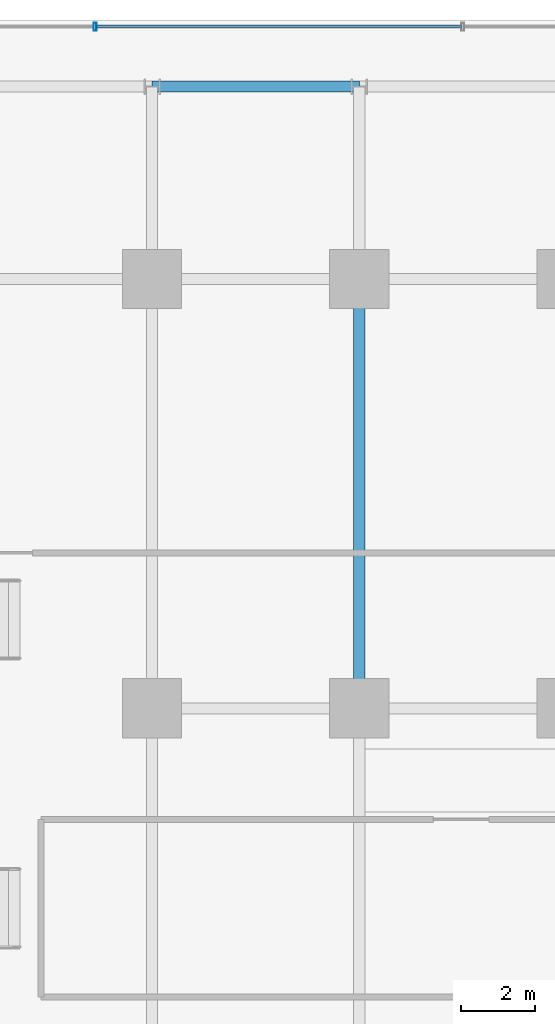
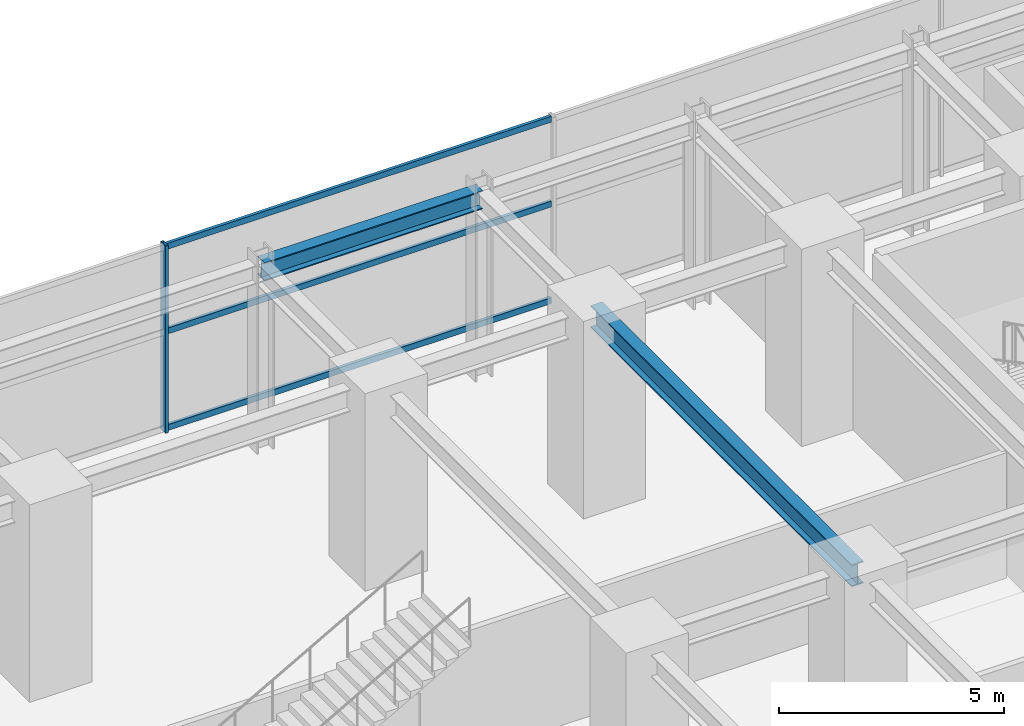
# One storey, part 16 of 34: 4 members, 2 beams, 1 element without a shape of its own.
"""IFC4 building model written with IfcOpenShell, lengths in metres."""

from ifc_helpers import new_model, si_unit, direction, frame, origin, origin_2d, place, context, subcontext, project, spatial, hollow_rectangle, i_section, extrude, source, transform, mapped, material, material_profile, profile_set, type_object, element, aggregate, save


model = new_model("IFC4")

# Units and contexts
model_context = context("Model", 3, precision=1e-05, world=origin(), true_north=direction((0.0, 1.0)))
body_context = subcontext(model_context, "Body", "Model", "MODEL_VIEW")
ifc_project = project(units=[si_unit("LENGTHUNIT", "METRE"), si_unit("AREAUNIT", "SQUARE_METRE"), si_unit("VOLUMEUNIT", "CUBIC_METRE"), si_unit("PLANEANGLEUNIT", "RADIAN"), si_unit("MASSUNIT", "GRAM", prefix="KILO")], contexts=[model_context])

# Site, building, storey
site_placement = place(None, origin())
site = spatial("IfcSite", under=ifc_project, at=site_placement, CompositionType="ELEMENT")
building_placement = place(site_placement, origin())
building = spatial("IfcBuilding", under=site, at=building_placement, Name="Nahalor Promenade Grand Hotel", CompositionType="ELEMENT")
storey_placement = place(building_placement, frame((0.0, 0.0, 16.199951171875)))
storey = spatial("IfcBuildingStorey", under=building, at=storey_placement, Name="L03", CompositionType="ELEMENT", Elevation=16.199951171875)

# Beams
ifc_material_1 = material(Name="Steel S355JR", Category="steel")
ifc_material_profile_1 = material_profile(ifc_material_1, i_section(OverallWidth=0.3, OverallDepth=0.6, WebThickness=0.0155, FlangeThickness=0.03, at=origin_2d()), Name="HEB 600")
ifc_profile_set_1 = profile_set([ifc_material_profile_1], Name="Steel S355JR")
beam_type_1 = type_object("IfcBeamType", Name="Beam-Girder-HEB600", PredefinedType="BEAM", material=ifc_profile_set_1)
shared_shape_1 = source(origin(), body_context, "Body", "SweptSolid", [
    extrude(i_section(OverallWidth=0.3, OverallDepth=0.6, WebThickness=0.0155, FlangeThickness=0.03, at=origin_2d()), origin(), (0.0, 0.0, 1.0), 11.60009765625),
])
beam_1_placement = place(storey_placement, frame((-2.800048828125, 5.39990234375, 4.780029296875), z_axis=(0.0, 1.0, 0.0), x_axis=(-1.0, 0.0, 0.0)))
element("IfcBeam", 1, at=beam_1_placement, inside=storey, type_object=beam_type_1, Name="BM-L03-GY-2-3", PredefinedType="BEAM", context=body_context, shape_type="MappedRepresentation", body=[
    mapped(shared_shape_1, transform((0.0, 0.0, 0.0), scale=1.0)),
])
ifc_material_profile_2 = material_profile(ifc_material_1, i_section(OverallWidth=0.3, OverallDepth=0.5, WebThickness=0.0145, FlangeThickness=0.028, at=origin_2d()), Name="HEB 500")
ifc_profile_set_2 = profile_set([ifc_material_profile_2], Name="Steel S355JR")
beam_type_2 = type_object("IfcBeamType", Name="Beam-Spandrel-HEB500", PredefinedType="SPANDREL", material=ifc_profile_set_2)
shared_shape_2 = source(origin(), body_context, "Body", "SweptSolid", [
    extrude(i_section(OverallWidth=0.3, OverallDepth=0.5, WebThickness=0.0145, FlangeThickness=0.028, at=origin_2d()), origin(), (0.0, 0.0, 1.0), 5.599853515625),
])
beam_2_placement = place(storey_placement, frame((-8.39990234375, 22.199951171875, 4.830078125), z_axis=(1.0, 0.0, 0.0), x_axis=(0.0, 1.0, 0.0)))
element("IfcBeam", 2, at=beam_2_placement, inside=storey, type_object=beam_type_2, Name="BM-L03-SP-N-1", PredefinedType="SPANDREL", context=body_context, shape_type="MappedRepresentation", body=[
    mapped(shared_shape_2, transform((0.0, 0.0, 0.0), scale=1.0)),
])

# Curtain wall, members
ifc_material_2 = material(Name="Anodised Bronze Aluminium EN AW-6063 T6", Category="aluminium")
curtain_wall_type = type_object("IfcCurtainWallType", Name="CW1 Waterfront Podium Bronze Arcade Curtain Wall", PredefinedType="USERDEFINED", material=ifc_material_2)
curtain_wall_placement = place(storey_placement, origin())
curtain_wall = element("IfcCurtainWall", 3, at=curtain_wall_placement, inside=storey, type_object=curtain_wall_type, Name="L03 Curtain Wall CW-L03-N", ObjectType="UNITISED_CURTAIN_WALL", PredefinedType="USERDEFINED")
ifc_material_profile_3 = material_profile(ifc_material_2, hollow_rectangle(XDim=0.08, YDim=0.22, WallThickness=0.005, at=origin_2d()), Name="CWM 80x220x5")
ifc_profile_set_3 = profile_set([ifc_material_profile_3], Name="Anodised Bronze Aluminium EN AW-6063 T6")
member_type_1 = type_object("IfcMemberType", Name="CWM1 Podium Bronze Mullion 80x220", PredefinedType="MULLION", material=ifc_profile_set_3)
shared_shape_3 = source(origin(), body_context, "Body", "SweptSolid", [
    extrude(hollow_rectangle(XDim=0.08, YDim=0.22, WallThickness=0.005, at=origin_2d()), origin(), (0.0, 0.0, 1.0), 5.080078125),
])
member_1_placement = place(storey_placement, frame((-9.93994140625, 23.820068359375, 0.0), z_axis=(0.0, 0.0, 1.0), x_axis=(1.0, 0.0, 0.0)))
member_1 = element("IfcMember", 4, at=member_1_placement, type_object=member_type_1, Name="CW-L03-N Mullion 2", PredefinedType="MULLION", context=body_context, shape_type="MappedRepresentation", body=[
    mapped(shared_shape_3, transform((0.0, 0.0, 0.0), scale=1.0)),
])
ifc_material_profile_4 = material_profile(ifc_material_2, hollow_rectangle(XDim=0.08, YDim=0.16, WallThickness=0.004, at=origin_2d()), Name="CWT 80x160x4")
ifc_profile_set_4 = profile_set([ifc_material_profile_4], Name="Anodised Bronze Aluminium EN AW-6063 T6")
member_type_2 = type_object("IfcMemberType", Name="CWT1 Podium Bronze Transom 80x160", PredefinedType="USERDEFINED", material=ifc_profile_set_4)
shared_shape_4 = source(origin(), body_context, "Body", "SweptSolid", [
    extrude(hollow_rectangle(XDim=0.08, YDim=0.16, WallThickness=0.004, at=origin_2d()), origin(), (0.0, 0.0, 1.0), 9.85986328125),
])
member_2_placement = place(storey_placement, frame((-9.89990234375, 23.820068359375, 0.080078125), z_axis=(1.0, 0.0, 0.0), x_axis=(0.0, 1.0, 0.0)))
member_2 = element("IfcMember", 5, at=member_2_placement, type_object=member_type_2, Name="CW-L03-N Transom 2-0", ObjectType="TRANSOM", PredefinedType="USERDEFINED", context=body_context, shape_type="MappedRepresentation", body=[
    mapped(shared_shape_4, transform((0.0, 0.0, 0.0), scale=1.0)),
])
member_3_placement = place(storey_placement, frame((-9.89990234375, 23.820068359375, 2.699951171875), z_axis=(1.0, 0.0, 0.0), x_axis=(0.0, 1.0, 0.0)))
member_3 = element("IfcMember", 6, at=member_3_placement, type_object=member_type_2, Name="CW-L03-N Transom 2-1", ObjectType="TRANSOM", PredefinedType="USERDEFINED", context=body_context, shape_type="MappedRepresentation", body=[
    mapped(shared_shape_4, transform((0.0, 0.0, 0.0), scale=1.0)),
])
member_4_placement = place(storey_placement, frame((-9.89990234375, 23.820068359375, 5.0), z_axis=(1.0, 0.0, 0.0), x_axis=(0.0, 1.0, 0.0)))
member_4 = element("IfcMember", 7, at=member_4_placement, type_object=member_type_2, Name="CW-L03-N Transom 2-2", ObjectType="TRANSOM", PredefinedType="USERDEFINED", context=body_context, shape_type="MappedRepresentation", body=[
    mapped(shared_shape_4, transform((0.0, 0.0, 0.0), scale=1.0)),
])
aggregate(curtain_wall, [member_1, member_2, member_3, member_4])

save(model, "model.ifc")
